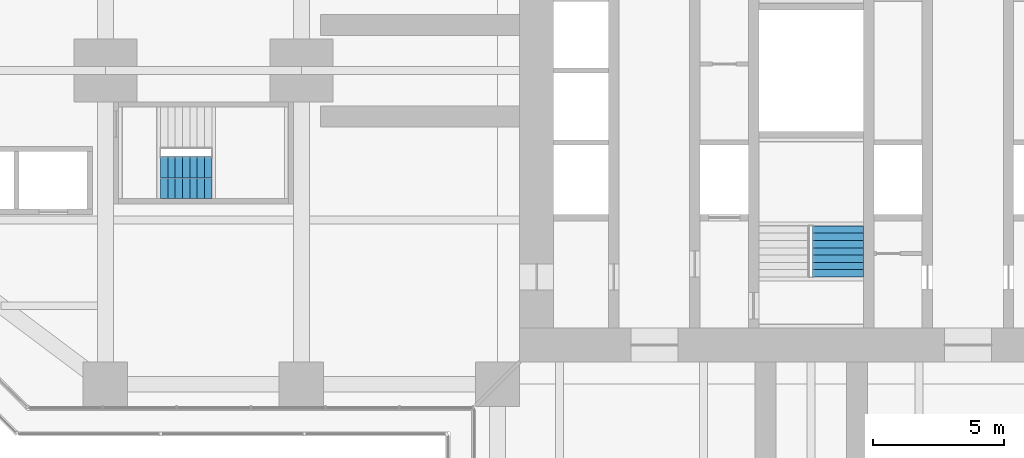
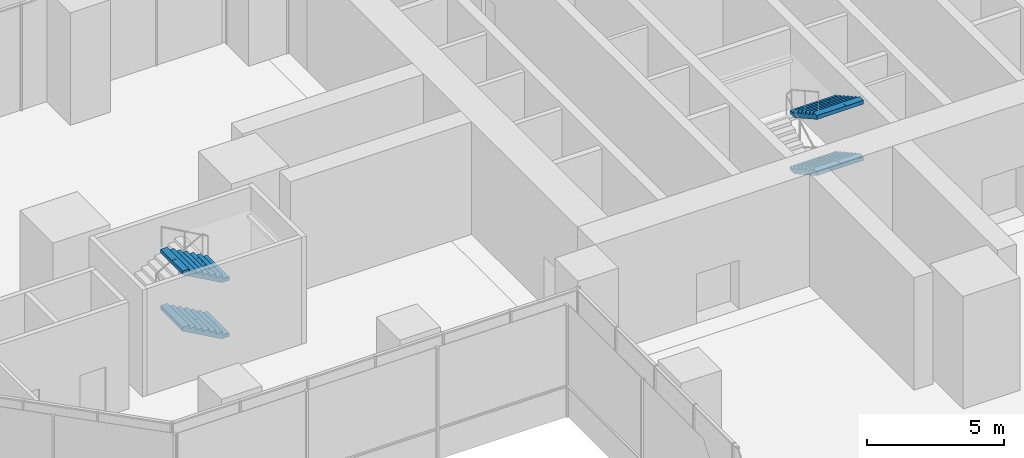
# One storey, part 19 of 23: 4 stair flights, 2 elements without a shape of their own.
"""IFC4 building model written with IfcOpenShell, lengths in metres."""

import ifcopenshell
import ifcopenshell.guid

model = None  # the IFC model being written
_history = None  # IfcOwnerHistory: only IFC2X3 demands one
_inside = {}  # id of a spatial element -> (the spatial element, [elements in it])
_under = {}  # id of a project, library or spatial element -> (it, [spatial elements below it])
_declared = {}  # id of a project -> (the project, [libraries it declares])
_typed = {}  # id of a type object -> (the type object, [elements of that type])
_made_of = {}  # id of a material, layer set ... -> (it, [elements and type objects made of it])


def new_model(schema):
    """Start an empty IFC model of exactly this schema.

    Asked for "IFC4X3", IfcOpenShell would pick the latest addendum, in which some entities
    have other attributes; the version numbers below select the first issue.
    IFC2X3 requires an IfcOwnerHistory on every rooted entity: one is made here for all.
    """
    global model, _history
    if schema == "IFC4X3":
        model = ifcopenshell.file(schema_version=(4, 3, 0, 0))
    else:
        model = ifcopenshell.file(schema=schema)
    _inside.clear()
    _under.clear()
    _declared.clear()
    _typed.clear()
    _made_of.clear()
    _history = None
    if model.schema == "IFC2X3":
        org = make("IfcOrganization", Name="unknown")
        user = make(
            "IfcPersonAndOrganization",
            ThePerson=make("IfcPerson", FamilyName="unknown"),
            TheOrganization=org,
        )
        app = make(
            "IfcApplication",
            ApplicationDeveloper=org,
            Version="unknown",
            ApplicationFullName="unknown",
            ApplicationIdentifier="unknown",
        )
        _history = make(
            "IfcOwnerHistory",
            OwningUser=user,
            OwningApplication=app,
            ChangeAction="ADDED",
            CreationDate=0,
        )
    return model


def make(cls, **values):
    """One entity of the class cls with the attributes given. An attribute that is None is left unset."""
    return model.create_entity(
        cls, **{name: value for name, value in values.items() if value is not None}
    )


def rooted(cls, **values):
    """An entity with a GlobalId (a new one), such as an element, a storey or a relation."""
    return make(cls, GlobalId=ifcopenshell.guid.new(), OwnerHistory=_history, **values)


def si_unit(unit_type, name, prefix=None):
    """IfcSIUnit, for example si_unit("LENGTHUNIT", "METRE", prefix="MILLI")."""
    return make("IfcSIUnit", UnitType=unit_type, Prefix=prefix, Name=name)


def assignment(units):
    """IfcUnitAssignment: the units of a project."""
    return None if units is None else make("IfcUnitAssignment", Units=units)


def point(xyz):
    """IfcCartesianPoint."""
    return None if xyz is None else make("IfcCartesianPoint", Coordinates=xyz)


def direction(xyz):
    """IfcDirection."""
    return None if xyz is None else make("IfcDirection", DirectionRatios=xyz)


def frame(location, z_axis=None, x_axis=None):
    """IfcAxis2Placement3D, a coordinate frame: its origin and axes. An axis left out is left unset."""
    return make(
        "IfcAxis2Placement3D",
        Location=point(location),
        Axis=direction(z_axis),
        RefDirection=direction(x_axis),
    )


def origin():
    """The frame at (0, 0, 0) with its axes left unset."""
    return frame((0.0, 0.0, 0.0))


def place(relative_to, where):
    """IfcLocalPlacement: puts the frame where relative to a parent placement (None: the world)."""
    return make(
        "IfcLocalPlacement", PlacementRelTo=relative_to, RelativePlacement=where
    )


def context(
    kind, dimensions, precision=None, world=None, true_north=None, identifier=None
):
    """IfcGeometricRepresentationContext, for example the 3D "Model" context."""
    return make(
        "IfcGeometricRepresentationContext",
        ContextIdentifier=identifier,
        ContextType=kind,
        CoordinateSpaceDimension=dimensions,
        Precision=precision,
        WorldCoordinateSystem=world,
        TrueNorth=true_north,
    )


def subcontext(parent, identifier, kind, view, scale=None):
    """IfcGeometricRepresentationSubContext, for example "Body" below "Model"."""
    return make(
        "IfcGeometricRepresentationSubContext",
        ContextIdentifier=identifier,
        ContextType=kind,
        ParentContext=parent,
        TargetScale=scale,
        TargetView=view,
    )


def project(units=None, contexts=None):
    """IfcProject with its units and contexts."""
    return rooted(
        "IfcProject",
        Name="project",
        RepresentationContexts=contexts,
        UnitsInContext=assignment(units),
    )


def spatial(cls, under=None, at=None, **own):
    """A site, building, storey or space (cls), placed at a placement, below another one or the project."""
    s = rooted(cls, ObjectPlacement=at, **own)
    if under is not None:
        _under.setdefault(under.id(), (under, []))[1].append(s)
    return s


def polyline(points):
    """IfcPolyline through the points."""
    return make("IfcPolyline", Points=[point(p) for p in points])


def outline(outer, holes=None, kind="AREA"):
    """IfcArbitraryClosedProfileDef: a profile drawn as a closed curve; with holes, ...WithVoids."""
    if holes is None:
        return make("IfcArbitraryClosedProfileDef", ProfileType=kind, OuterCurve=outer)
    return make(
        "IfcArbitraryProfileDefWithVoids",
        ProfileType=kind,
        OuterCurve=outer,
        InnerCurves=holes,
    )


def extrude(swept, where, along, depth):
    """IfcExtrudedAreaSolid: the profile swept, set in the frame where, extruded along a direction by depth."""
    return make(
        "IfcExtrudedAreaSolid",
        SweptArea=swept,
        Position=where,
        ExtrudedDirection=direction(along),
        Depth=depth,
    )


def shape(context_of_items, identifier, shape_type, items):
    """IfcShapeRepresentation: the items that make up one representation, for example the "Body"."""
    return make(
        "IfcShapeRepresentation",
        ContextOfItems=context_of_items,
        RepresentationIdentifier=identifier,
        RepresentationType=shape_type,
        Items=items,
    )


def material(Name=None, Category=None):
    """IfcMaterial."""
    return make("IfcMaterial", Name=Name, Category=Category)


def made_of(thing, what):
    """Note that an element or type object is made of a material, layer set ...; save() writes the relation."""
    if what is not None:
        _made_of.setdefault(what.id(), (what, []))[1].append(thing)
    return thing


def type_object(cls, material=None, **own):
    """A type object (cls), such as IfcWallType, which elements share."""
    return made_of(rooted(cls, **own), material)


def element(
    cls,
    number,
    at=None,
    inside=None,
    cuts=None,
    type_object=None,
    material=None,
    context=None,
    identifier="Body",
    shape_type=None,
    held_by="IfcProductDefinitionShape",
    body=None,
    shapes=None,
    **own,
):
    """One element of the class cls, such as IfcWall. Its Tag is "e" and its number.

    at: its placement. inside: the storey or other place that contains it. cuts: it is an
    opening in that element (IfcRelVoidsElement). A single representation is given by context,
    identifier, shape_type and body (its items); several are given by shapes. held_by: the class
    of the entity that holds the representations. save() writes the other relations.
    """
    e = rooted(cls, Tag="e%d" % number, ObjectPlacement=at, **own)
    if body is not None:
        shapes = [shape(context, identifier, shape_type, body)]
    if shapes is not None:
        e.Representation = make(held_by, Representations=shapes)
    if inside is not None:
        _inside.setdefault(inside.id(), (inside, []))[1].append(e)
    if cuts is not None:
        rooted(
            "IfcRelVoidsElement", RelatingBuildingElement=cuts, RelatedOpeningElement=e
        )
    if type_object is not None:
        _typed.setdefault(type_object.id(), (type_object, []))[1].append(e)
    return made_of(e, material)


def aggregate(whole, parts):
    """IfcRelAggregates: a whole, such as a stair, and the parts it consists of."""
    return rooted("IfcRelAggregates", RelatingObject=whole, RelatedObjects=parts)


def save(model, path):
    """Write the relations noted so far, then the file.

    IfcRelAggregates (storeys below a building ...), IfcRelContainedInSpatialStructure (elements
    in a storey), IfcRelDefinesByType, IfcRelAssociatesMaterial and IfcRelDeclares: one each for
    every whole, place, type object, material and project.
    """
    for whole, parts in _under.values():
        aggregate(whole, parts)
    for where, things in _inside.values():
        rooted(
            "IfcRelContainedInSpatialStructure",
            RelatedElements=things,
            RelatingStructure=where,
        )
    for kind, things in _typed.values():
        rooted("IfcRelDefinesByType", RelatedObjects=things, RelatingType=kind)
    for what, things in _made_of.values():
        rooted("IfcRelAssociatesMaterial", RelatedObjects=things, RelatingMaterial=what)
    for by, libraries in _declared.values():
        rooted("IfcRelDeclares", RelatingContext=by, RelatedDefinitions=libraries)
    model.write(path)


model = new_model("IFC4")

# Units and contexts
model_context = context("Model", 3, precision=1e-05, world=origin(), true_north=direction((0.0, 1.0)))
body_context = subcontext(model_context, "Body", "Model", "MODEL_VIEW")
ifc_project = project(units=[si_unit("LENGTHUNIT", "METRE"), si_unit("AREAUNIT", "SQUARE_METRE"), si_unit("VOLUMEUNIT", "CUBIC_METRE"), si_unit("PLANEANGLEUNIT", "RADIAN"), si_unit("MASSUNIT", "GRAM", prefix="KILO")], contexts=[model_context])

# Site, building, storey
site_placement = place(None, origin())
site = spatial("IfcSite", under=ifc_project, at=site_placement, CompositionType="ELEMENT")
building_placement = place(site_placement, origin())
building = spatial("IfcBuilding", under=site, at=building_placement, Name="Mizan Broadcast Tower", CompositionType="ELEMENT")
storey_placement = place(building_placement, frame((0.0, 0.0, 23.0)))
storey = spatial("IfcBuildingStorey", under=building, at=storey_placement, Name="L03", CompositionType="ELEMENT", Elevation=23.0)

# Stair, stair flights
ifc_material_1 = material(Name="Concrete C40/50", Category="concrete")
stair_type = type_object("IfcStairType", Name="EXIT STAIR", PredefinedType="HALF_TURN_STAIR", material=ifc_material_1)
stair_1_placement = place(storey_placement, origin())
stair_1 = element("IfcStair", 1, at=stair_1_placement, inside=storey, type_object=stair_type, Name="Stair A L03", PredefinedType="HALF_TURN_STAIR")
ifc_material_2 = material(Name="Concrete C40/50", Category="concrete")
stair_flight_type = type_object("IfcStairFlightType", Name="EXIT STAIR FLIGHT", PredefinedType="STRAIGHT", material=ifc_material_2)
stair_flight_1_placement = place(storey_placement, frame((1.02490234375, -5.93994140625, 1.25), z_axis=(0.0, 0.0, 1.0), x_axis=(0.0, -1.0, 0.0)))
stair_flight_1 = element("IfcStairFlight", 2, at=stair_flight_1_placement, type_object=stair_flight_type, Name="A flight 2", NumberOfRisers=8, NumberOfTreads=7, PredefinedType="STRAIGHT", RiserHeight=0.15625, TreadLength=0.28, context=body_context, shape_type="SweptSolid", body=[
    extrude(outline(polyline([(0.0, 0.0), (0.0, 0.15625), (0.280029296875, 0.15625), (0.280029296875, 0.3125), (0.56005859375, 0.3125), (0.56005859375, 0.46875), (0.840087890625, 0.46875), (0.840087890625, 0.625), (1.1201171875, 0.625), (1.1201171875, 0.78125), (1.39990234375, 0.78125), (1.39990234375, 0.9375), (1.679931640625, 0.9375), (1.679931640625, 1.09375), (1.9599609375, 1.09375), (1.9599609375, 1.25), (1.9599609375, 0.922119140625), (0.3076171875, 0.0), (0.0, 0.0)])), frame((0.0, 0.97509765625, 0.0), z_axis=(0.0, -1.0, 0.0), x_axis=(1.0, 0.0, 0.0)), (0.0, 0.0, 1.0), 0.4873046875),
    extrude(outline(polyline([(0.0, 0.0), (0.0, 0.15625), (0.280029296875, 0.15625), (0.280029296875, 0.3125), (0.56005859375, 0.3125), (0.56005859375, 0.46875), (0.840087890625, 0.46875), (0.840087890625, 0.625), (1.1201171875, 0.625), (1.1201171875, 0.78125), (1.39990234375, 0.78125), (1.39990234375, 0.9375), (1.679931640625, 0.9375), (1.679931640625, 1.09375), (1.9599609375, 1.09375), (1.9599609375, 1.25), (1.9599609375, 0.922119140625), (0.3076171875, 0.0), (0.0, 0.0)])), frame((0.0, 0.4873046875, 0.0), z_axis=(0.0, -1.0, 0.0), x_axis=(1.0, 0.0, 0.0)), (0.0, 0.0, 1.0), 0.2431640625),
    extrude(outline(polyline([(0.0, 0.0), (0.0, 0.15625), (0.280029296875, 0.15625), (0.280029296875, 0.3125), (0.56005859375, 0.3125), (0.56005859375, 0.46875), (0.840087890625, 0.46875), (0.840087890625, 0.625), (1.1201171875, 0.625), (1.1201171875, 0.78125), (1.39990234375, 0.78125), (1.39990234375, 0.9375), (1.679931640625, 0.9375), (1.679931640625, 1.09375), (1.9599609375, 1.09375), (1.9599609375, 1.25), (1.9599609375, 0.922119140625), (0.3076171875, 0.0), (0.0, 0.0)])), frame((0.0, 0.24365234375, 0.0), z_axis=(0.0, -1.0, 0.0), x_axis=(1.0, 0.0, 0.0)), (0.0, 0.0, 1.0), 0.121337890625),
    extrude(outline(polyline([(0.0, 0.0), (0.0, 0.15625), (0.280029296875, 0.15625), (0.280029296875, 0.3125), (0.56005859375, 0.3125), (0.56005859375, 0.46875), (0.840087890625, 0.46875), (0.840087890625, 0.625), (1.1201171875, 0.625), (1.1201171875, 0.78125), (1.39990234375, 0.78125), (1.39990234375, 0.9375), (1.679931640625, 0.9375), (1.679931640625, 1.09375), (1.9599609375, 1.09375), (1.9599609375, 1.25), (1.9599609375, 0.922119140625), (0.3076171875, 0.0), (0.0, 0.0)])), frame((0.0, 0.121826171875, 0.0), z_axis=(0.0, -1.0, 0.0), x_axis=(1.0, 0.0, 0.0)), (0.0, 0.0, 1.0), 0.060546875),
    extrude(outline(polyline([(0.0, 0.0), (0.0, 0.15625), (0.280029296875, 0.15625), (0.280029296875, 0.3125), (0.56005859375, 0.3125), (0.56005859375, 0.46875), (0.840087890625, 0.46875), (0.840087890625, 0.625), (1.1201171875, 0.625), (1.1201171875, 0.78125), (1.39990234375, 0.78125), (1.39990234375, 0.9375), (1.679931640625, 0.9375), (1.679931640625, 1.09375), (1.9599609375, 1.09375), (1.9599609375, 1.25), (1.9599609375, 0.922119140625), (0.3076171875, 0.0), (0.0, 0.0)])), frame((0.0, 0.060791015625, 0.0), z_axis=(0.0, -1.0, 0.0), x_axis=(1.0, 0.0, 0.0)), (0.0, 0.0, 1.0), 0.030029296875),
    extrude(outline(polyline([(0.0, 0.0), (0.0, 0.15625), (0.280029296875, 0.15625), (0.280029296875, 0.3125), (0.56005859375, 0.3125), (0.56005859375, 0.46875), (0.840087890625, 0.46875), (0.840087890625, 0.625), (1.1201171875, 0.625), (1.1201171875, 0.78125), (1.39990234375, 0.78125), (1.39990234375, 0.9375), (1.679931640625, 0.9375), (1.679931640625, 1.09375), (1.9599609375, 1.09375), (1.9599609375, 1.25), (1.9599609375, 0.922119140625), (0.3076171875, 0.0), (0.0, 0.0)])), frame((0.0, 0.0302734375, 0.0), z_axis=(0.0, -1.0, 0.0), x_axis=(1.0, 0.0, 0.0)), (0.0, 0.0, 1.0), 0.060302734375),
    extrude(outline(polyline([(0.0, 0.0), (0.0, 0.15625), (0.280029296875, 0.15625), (0.280029296875, 0.3125), (0.56005859375, 0.3125), (0.56005859375, 0.46875), (0.840087890625, 0.46875), (0.840087890625, 0.625), (1.1201171875, 0.625), (1.1201171875, 0.78125), (1.39990234375, 0.78125), (1.39990234375, 0.9375), (1.679931640625, 0.9375), (1.679931640625, 1.09375), (1.9599609375, 1.09375), (1.9599609375, 1.25), (1.9599609375, 0.922119140625), (0.3076171875, 0.0), (0.0, 0.0)])), frame((0.0, -0.030517578125, 0.0), z_axis=(0.0, -1.0, 0.0), x_axis=(1.0, 0.0, 0.0)), (0.0, 0.0, 1.0), 0.030029296875),
    extrude(outline(polyline([(0.0, 0.0), (0.0, 0.15625), (0.280029296875, 0.15625), (0.280029296875, 0.3125), (0.56005859375, 0.3125), (0.56005859375, 0.46875), (0.840087890625, 0.46875), (0.840087890625, 0.625), (1.1201171875, 0.625), (1.1201171875, 0.78125), (1.39990234375, 0.78125), (1.39990234375, 0.9375), (1.679931640625, 0.9375), (1.679931640625, 1.09375), (1.9599609375, 1.09375), (1.9599609375, 1.25), (1.9599609375, 0.922119140625), (0.3076171875, 0.0), (0.0, 0.0)])), frame((0.0, -0.06103515625, 0.0), z_axis=(0.0, -1.0, 0.0), x_axis=(1.0, 0.0, 0.0)), (0.0, 0.0, 1.0), 0.060546875),
    extrude(outline(polyline([(0.0, 0.0), (0.0, 0.15625), (0.280029296875, 0.15625), (0.280029296875, 0.3125), (0.56005859375, 0.3125), (0.56005859375, 0.46875), (0.840087890625, 0.46875), (0.840087890625, 0.625), (1.1201171875, 0.625), (1.1201171875, 0.78125), (1.39990234375, 0.78125), (1.39990234375, 0.9375), (1.679931640625, 0.9375), (1.679931640625, 1.09375), (1.9599609375, 1.09375), (1.9599609375, 1.25), (1.9599609375, 0.922119140625), (0.3076171875, 0.0), (0.0, 0.0)])), frame((0.0, -0.1220703125, 0.0), z_axis=(0.0, -1.0, 0.0), x_axis=(1.0, 0.0, 0.0)), (0.0, 0.0, 1.0), 0.121337890625),
    extrude(outline(polyline([(0.0, 0.0), (0.0, 0.15625), (0.280029296875, 0.15625), (0.280029296875, 0.3125), (0.56005859375, 0.3125), (0.56005859375, 0.46875), (0.840087890625, 0.46875), (0.840087890625, 0.625), (1.1201171875, 0.625), (1.1201171875, 0.78125), (1.39990234375, 0.78125), (1.39990234375, 0.9375), (1.679931640625, 0.9375), (1.679931640625, 1.09375), (1.9599609375, 1.09375), (1.9599609375, 1.25), (1.9599609375, 0.922119140625), (0.3076171875, 0.0), (0.0, 0.0)])), frame((0.0, -0.243896484375, 0.0), z_axis=(0.0, -1.0, 0.0), x_axis=(1.0, 0.0, 0.0)), (0.0, 0.0, 1.0), 0.2431640625),
    extrude(outline(polyline([(0.0, 0.0), (0.0, 0.15625), (0.280029296875, 0.15625), (0.280029296875, 0.3125), (0.56005859375, 0.3125), (0.56005859375, 0.46875), (0.840087890625, 0.46875), (0.840087890625, 0.625), (1.1201171875, 0.625), (1.1201171875, 0.78125), (1.39990234375, 0.78125), (1.39990234375, 0.9375), (1.679931640625, 0.9375), (1.679931640625, 1.09375), (1.9599609375, 1.09375), (1.9599609375, 1.25), (1.9599609375, 0.922119140625), (0.3076171875, 0.0), (0.0, 0.0)])), frame((0.0, -0.487548828125, 0.0), z_axis=(0.0, -1.0, 0.0), x_axis=(1.0, 0.0, 0.0)), (0.0, 0.0, 1.0), 0.4873046875),
])
stair_flight_2_placement = place(storey_placement, frame((1.02490234375, -5.93994140625, 3.75), z_axis=(0.0, 0.0, 1.0), x_axis=(0.0, -1.0, 0.0)))
stair_flight_2 = element("IfcStairFlight", 3, at=stair_flight_2_placement, type_object=stair_flight_type, Name="A flight 4", NumberOfRisers=8, NumberOfTreads=7, PredefinedType="STRAIGHT", RiserHeight=0.15625, TreadLength=0.28, context=body_context, shape_type="SweptSolid", body=[
    extrude(outline(polyline([(0.0, 0.0), (0.0, 0.15625), (0.280029296875, 0.15625), (0.280029296875, 0.3125), (0.56005859375, 0.3125), (0.56005859375, 0.46875), (0.840087890625, 0.46875), (0.840087890625, 0.625), (1.1201171875, 0.625), (1.1201171875, 0.78125), (1.39990234375, 0.78125), (1.39990234375, 0.9375), (1.679931640625, 0.9375), (1.679931640625, 1.09375), (1.9599609375, 1.09375), (1.9599609375, 1.25), (1.9599609375, 0.922119140625), (0.3076171875, 0.0), (0.0, 0.0)])), frame((0.0, 0.97509765625, 0.0), z_axis=(0.0, -1.0, 0.0), x_axis=(1.0, 0.0, 0.0)), (0.0, 0.0, 1.0), 0.4873046875),
    extrude(outline(polyline([(0.0, 0.0), (0.0, 0.15625), (0.280029296875, 0.15625), (0.280029296875, 0.3125), (0.56005859375, 0.3125), (0.56005859375, 0.46875), (0.840087890625, 0.46875), (0.840087890625, 0.625), (1.1201171875, 0.625), (1.1201171875, 0.78125), (1.39990234375, 0.78125), (1.39990234375, 0.9375), (1.679931640625, 0.9375), (1.679931640625, 1.09375), (1.9599609375, 1.09375), (1.9599609375, 1.25), (1.9599609375, 0.922119140625), (0.3076171875, 0.0), (0.0, 0.0)])), frame((0.0, 0.4873046875, 0.0), z_axis=(0.0, -1.0, 0.0), x_axis=(1.0, 0.0, 0.0)), (0.0, 0.0, 1.0), 0.2431640625),
    extrude(outline(polyline([(0.0, 0.0), (0.0, 0.15625), (0.280029296875, 0.15625), (0.280029296875, 0.3125), (0.56005859375, 0.3125), (0.56005859375, 0.46875), (0.840087890625, 0.46875), (0.840087890625, 0.625), (1.1201171875, 0.625), (1.1201171875, 0.78125), (1.39990234375, 0.78125), (1.39990234375, 0.9375), (1.679931640625, 0.9375), (1.679931640625, 1.09375), (1.9599609375, 1.09375), (1.9599609375, 1.25), (1.9599609375, 0.922119140625), (0.3076171875, 0.0), (0.0, 0.0)])), frame((0.0, 0.24365234375, 0.0), z_axis=(0.0, -1.0, 0.0), x_axis=(1.0, 0.0, 0.0)), (0.0, 0.0, 1.0), 0.121337890625),
    extrude(outline(polyline([(0.0, 0.0), (0.0, 0.15625), (0.280029296875, 0.15625), (0.280029296875, 0.3125), (0.56005859375, 0.3125), (0.56005859375, 0.46875), (0.840087890625, 0.46875), (0.840087890625, 0.625), (1.1201171875, 0.625), (1.1201171875, 0.78125), (1.39990234375, 0.78125), (1.39990234375, 0.9375), (1.679931640625, 0.9375), (1.679931640625, 1.09375), (1.9599609375, 1.09375), (1.9599609375, 1.25), (1.9599609375, 0.922119140625), (0.3076171875, 0.0), (0.0, 0.0)])), frame((0.0, 0.121826171875, 0.0), z_axis=(0.0, -1.0, 0.0), x_axis=(1.0, 0.0, 0.0)), (0.0, 0.0, 1.0), 0.060546875),
    extrude(outline(polyline([(0.0, 0.0), (0.0, 0.15625), (0.280029296875, 0.15625), (0.280029296875, 0.3125), (0.56005859375, 0.3125), (0.56005859375, 0.46875), (0.840087890625, 0.46875), (0.840087890625, 0.625), (1.1201171875, 0.625), (1.1201171875, 0.78125), (1.39990234375, 0.78125), (1.39990234375, 0.9375), (1.679931640625, 0.9375), (1.679931640625, 1.09375), (1.9599609375, 1.09375), (1.9599609375, 1.25), (1.9599609375, 0.922119140625), (0.3076171875, 0.0), (0.0, 0.0)])), frame((0.0, 0.060791015625, 0.0), z_axis=(0.0, -1.0, 0.0), x_axis=(1.0, 0.0, 0.0)), (0.0, 0.0, 1.0), 0.030029296875),
    extrude(outline(polyline([(0.0, 0.0), (0.0, 0.15625), (0.280029296875, 0.15625), (0.280029296875, 0.3125), (0.56005859375, 0.3125), (0.56005859375, 0.46875), (0.840087890625, 0.46875), (0.840087890625, 0.625), (1.1201171875, 0.625), (1.1201171875, 0.78125), (1.39990234375, 0.78125), (1.39990234375, 0.9375), (1.679931640625, 0.9375), (1.679931640625, 1.09375), (1.9599609375, 1.09375), (1.9599609375, 1.25), (1.9599609375, 0.922119140625), (0.3076171875, 0.0), (0.0, 0.0)])), frame((0.0, 0.0302734375, 0.0), z_axis=(0.0, -1.0, 0.0), x_axis=(1.0, 0.0, 0.0)), (0.0, 0.0, 1.0), 0.060302734375),
    extrude(outline(polyline([(0.0, 0.0), (0.0, 0.15625), (0.280029296875, 0.15625), (0.280029296875, 0.3125), (0.56005859375, 0.3125), (0.56005859375, 0.46875), (0.840087890625, 0.46875), (0.840087890625, 0.625), (1.1201171875, 0.625), (1.1201171875, 0.78125), (1.39990234375, 0.78125), (1.39990234375, 0.9375), (1.679931640625, 0.9375), (1.679931640625, 1.09375), (1.9599609375, 1.09375), (1.9599609375, 1.25), (1.9599609375, 0.922119140625), (0.3076171875, 0.0), (0.0, 0.0)])), frame((0.0, -0.030517578125, 0.0), z_axis=(0.0, -1.0, 0.0), x_axis=(1.0, 0.0, 0.0)), (0.0, 0.0, 1.0), 0.030029296875),
    extrude(outline(polyline([(0.0, 0.0), (0.0, 0.15625), (0.280029296875, 0.15625), (0.280029296875, 0.3125), (0.56005859375, 0.3125), (0.56005859375, 0.46875), (0.840087890625, 0.46875), (0.840087890625, 0.625), (1.1201171875, 0.625), (1.1201171875, 0.78125), (1.39990234375, 0.78125), (1.39990234375, 0.9375), (1.679931640625, 0.9375), (1.679931640625, 1.09375), (1.9599609375, 1.09375), (1.9599609375, 1.25), (1.9599609375, 0.922119140625), (0.3076171875, 0.0), (0.0, 0.0)])), frame((0.0, -0.06103515625, 0.0), z_axis=(0.0, -1.0, 0.0), x_axis=(1.0, 0.0, 0.0)), (0.0, 0.0, 1.0), 0.060546875),
    extrude(outline(polyline([(0.0, 0.0), (0.0, 0.15625), (0.280029296875, 0.15625), (0.280029296875, 0.3125), (0.56005859375, 0.3125), (0.56005859375, 0.46875), (0.840087890625, 0.46875), (0.840087890625, 0.625), (1.1201171875, 0.625), (1.1201171875, 0.78125), (1.39990234375, 0.78125), (1.39990234375, 0.9375), (1.679931640625, 0.9375), (1.679931640625, 1.09375), (1.9599609375, 1.09375), (1.9599609375, 1.25), (1.9599609375, 0.922119140625), (0.3076171875, 0.0), (0.0, 0.0)])), frame((0.0, -0.1220703125, 0.0), z_axis=(0.0, -1.0, 0.0), x_axis=(1.0, 0.0, 0.0)), (0.0, 0.0, 1.0), 0.121337890625),
    extrude(outline(polyline([(0.0, 0.0), (0.0, 0.15625), (0.280029296875, 0.15625), (0.280029296875, 0.3125), (0.56005859375, 0.3125), (0.56005859375, 0.46875), (0.840087890625, 0.46875), (0.840087890625, 0.625), (1.1201171875, 0.625), (1.1201171875, 0.78125), (1.39990234375, 0.78125), (1.39990234375, 0.9375), (1.679931640625, 0.9375), (1.679931640625, 1.09375), (1.9599609375, 1.09375), (1.9599609375, 1.25), (1.9599609375, 0.922119140625), (0.3076171875, 0.0), (0.0, 0.0)])), frame((0.0, -0.243896484375, 0.0), z_axis=(0.0, -1.0, 0.0), x_axis=(1.0, 0.0, 0.0)), (0.0, 0.0, 1.0), 0.2431640625),
    extrude(outline(polyline([(0.0, 0.0), (0.0, 0.15625), (0.280029296875, 0.15625), (0.280029296875, 0.3125), (0.56005859375, 0.3125), (0.56005859375, 0.46875), (0.840087890625, 0.46875), (0.840087890625, 0.625), (1.1201171875, 0.625), (1.1201171875, 0.78125), (1.39990234375, 0.78125), (1.39990234375, 0.9375), (1.679931640625, 0.9375), (1.679931640625, 1.09375), (1.9599609375, 1.09375), (1.9599609375, 1.25), (1.9599609375, 0.922119140625), (0.3076171875, 0.0), (0.0, 0.0)])), frame((0.0, -0.487548828125, 0.0), z_axis=(0.0, -1.0, 0.0), x_axis=(1.0, 0.0, 0.0)), (0.0, 0.0, 1.0), 0.4873046875),
])
aggregate(stair_1, [stair_flight_1, stair_flight_2])

stair_2_placement = place(storey_placement, origin())
stair_2 = element("IfcStair", 4, at=stair_2_placement, inside=storey, type_object=stair_type, Name="Stair D L03", PredefinedType="HALF_TURN_STAIR")
stair_flight_3_placement = place(storey_placement, frame((-22.929931640625, -4.094970703125, 1.25), z_axis=(0.0, 0.0, 1.0), x_axis=(-1.0, 0.0, 0.0)))
stair_flight_3 = element("IfcStairFlight", 5, at=stair_flight_3_placement, type_object=stair_flight_type, Name="D flight 2", NumberOfRisers=8, NumberOfTreads=7, PredefinedType="STRAIGHT", RiserHeight=0.15625, TreadLength=0.28, context=body_context, shape_type="SweptSolid", body=[
    extrude(outline(polyline([(0.0, 0.0), (0.0, 0.15625), (0.280029296875, 0.15625), (0.280029296875, 0.3125), (0.56005859375, 0.3125), (0.56005859375, 0.46875), (0.840087890625, 0.46875), (0.840087890625, 0.625), (1.1201171875, 0.625), (1.1201171875, 0.78125), (1.39990234375, 0.78125), (1.39990234375, 0.9375), (1.679931640625, 0.9375), (1.679931640625, 1.09375), (1.9599609375, 1.09375), (1.9599609375, 1.25), (1.9599609375, 0.922119140625), (0.3076171875, 0.0), (0.0, 0.0)])), frame((0.0, 0.80517578125, 0.0), z_axis=(0.0, -1.0, 0.0), x_axis=(1.0, 0.0, 0.0)), (0.0, 0.0, 1.0), 0.40234375),
    extrude(outline(polyline([(0.0, 0.0), (0.0, 0.15625), (0.280029296875, 0.15625), (0.280029296875, 0.3125), (0.56005859375, 0.3125), (0.56005859375, 0.46875), (0.840087890625, 0.46875), (0.840087890625, 0.625), (1.1201171875, 0.625), (1.1201171875, 0.78125), (1.39990234375, 0.78125), (1.39990234375, 0.9375), (1.679931640625, 0.9375), (1.679931640625, 1.09375), (1.9599609375, 1.09375), (1.9599609375, 1.25), (1.9599609375, 0.922119140625), (0.3076171875, 0.0), (0.0, 0.0)])), frame((0.0, 0.40234375, 0.0), z_axis=(0.0, -1.0, 0.0), x_axis=(1.0, 0.0, 0.0)), (0.0, 0.0, 1.0), 0.20068359375),
    extrude(outline(polyline([(0.0, 0.0), (0.0, 0.15625), (0.280029296875, 0.15625), (0.280029296875, 0.3125), (0.56005859375, 0.3125), (0.56005859375, 0.46875), (0.840087890625, 0.46875), (0.840087890625, 0.625), (1.1201171875, 0.625), (1.1201171875, 0.78125), (1.39990234375, 0.78125), (1.39990234375, 0.9375), (1.679931640625, 0.9375), (1.679931640625, 1.09375), (1.9599609375, 1.09375), (1.9599609375, 1.25), (1.9599609375, 0.922119140625), (0.3076171875, 0.0), (0.0, 0.0)])), frame((0.0, 0.201171875, 0.0), z_axis=(0.0, -1.0, 0.0), x_axis=(1.0, 0.0, 0.0)), (0.0, 0.0, 1.0), 0.10009765625),
    extrude(outline(polyline([(0.0, 0.0), (0.0, 0.15625), (0.280029296875, 0.15625), (0.280029296875, 0.3125), (0.56005859375, 0.3125), (0.56005859375, 0.46875), (0.840087890625, 0.46875), (0.840087890625, 0.625), (1.1201171875, 0.625), (1.1201171875, 0.78125), (1.39990234375, 0.78125), (1.39990234375, 0.9375), (1.679931640625, 0.9375), (1.679931640625, 1.09375), (1.9599609375, 1.09375), (1.9599609375, 1.25), (1.9599609375, 0.922119140625), (0.3076171875, 0.0), (0.0, 0.0)])), frame((0.0, 0.1005859375, 0.0), z_axis=(0.0, -1.0, 0.0), x_axis=(1.0, 0.0, 0.0)), (0.0, 0.0, 1.0), 0.0498046875),
    extrude(outline(polyline([(0.0, 0.0), (0.0, 0.15625), (0.280029296875, 0.15625), (0.280029296875, 0.3125), (0.56005859375, 0.3125), (0.56005859375, 0.46875), (0.840087890625, 0.46875), (0.840087890625, 0.625), (1.1201171875, 0.625), (1.1201171875, 0.78125), (1.39990234375, 0.78125), (1.39990234375, 0.9375), (1.679931640625, 0.9375), (1.679931640625, 1.09375), (1.9599609375, 1.09375), (1.9599609375, 1.25), (1.9599609375, 0.922119140625), (0.3076171875, 0.0), (0.0, 0.0)])), frame((0.0, 0.05029296875, 0.0), z_axis=(0.0, -1.0, 0.0), x_axis=(1.0, 0.0, 0.0)), (0.0, 0.0, 1.0), 0.024658203125),
    extrude(outline(polyline([(0.0, 0.0), (0.0, 0.15625), (0.280029296875, 0.15625), (0.280029296875, 0.3125), (0.56005859375, 0.3125), (0.56005859375, 0.46875), (0.840087890625, 0.46875), (0.840087890625, 0.625), (1.1201171875, 0.625), (1.1201171875, 0.78125), (1.39990234375, 0.78125), (1.39990234375, 0.9375), (1.679931640625, 0.9375), (1.679931640625, 1.09375), (1.9599609375, 1.09375), (1.9599609375, 1.25), (1.9599609375, 0.922119140625), (0.3076171875, 0.0), (0.0, 0.0)])), frame((0.0, 0.025146484375, 0.0), z_axis=(0.0, -1.0, 0.0), x_axis=(1.0, 0.0, 0.0)), (0.0, 0.0, 1.0), 0.050048828125),
    extrude(outline(polyline([(0.0, 0.0), (0.0, 0.15625), (0.280029296875, 0.15625), (0.280029296875, 0.3125), (0.56005859375, 0.3125), (0.56005859375, 0.46875), (0.840087890625, 0.46875), (0.840087890625, 0.625), (1.1201171875, 0.625), (1.1201171875, 0.78125), (1.39990234375, 0.78125), (1.39990234375, 0.9375), (1.679931640625, 0.9375), (1.679931640625, 1.09375), (1.9599609375, 1.09375), (1.9599609375, 1.25), (1.9599609375, 0.922119140625), (0.3076171875, 0.0), (0.0, 0.0)])), frame((0.0, -0.025390625, 0.0), z_axis=(0.0, -1.0, 0.0), x_axis=(1.0, 0.0, 0.0)), (0.0, 0.0, 1.0), 0.024658203125),
    extrude(outline(polyline([(0.0, 0.0), (0.0, 0.15625), (0.280029296875, 0.15625), (0.280029296875, 0.3125), (0.56005859375, 0.3125), (0.56005859375, 0.46875), (0.840087890625, 0.46875), (0.840087890625, 0.625), (1.1201171875, 0.625), (1.1201171875, 0.78125), (1.39990234375, 0.78125), (1.39990234375, 0.9375), (1.679931640625, 0.9375), (1.679931640625, 1.09375), (1.9599609375, 1.09375), (1.9599609375, 1.25), (1.9599609375, 0.922119140625), (0.3076171875, 0.0), (0.0, 0.0)])), frame((0.0, -0.050537109375, 0.0), z_axis=(0.0, -1.0, 0.0), x_axis=(1.0, 0.0, 0.0)), (0.0, 0.0, 1.0), 0.0498046875),
    extrude(outline(polyline([(0.0, 0.0), (0.0, 0.15625), (0.280029296875, 0.15625), (0.280029296875, 0.3125), (0.56005859375, 0.3125), (0.56005859375, 0.46875), (0.840087890625, 0.46875), (0.840087890625, 0.625), (1.1201171875, 0.625), (1.1201171875, 0.78125), (1.39990234375, 0.78125), (1.39990234375, 0.9375), (1.679931640625, 0.9375), (1.679931640625, 1.09375), (1.9599609375, 1.09375), (1.9599609375, 1.25), (1.9599609375, 0.922119140625), (0.3076171875, 0.0), (0.0, 0.0)])), frame((0.0, -0.100830078125, 0.0), z_axis=(0.0, -1.0, 0.0), x_axis=(1.0, 0.0, 0.0)), (0.0, 0.0, 1.0), 0.10009765625),
    extrude(outline(polyline([(0.0, 0.0), (0.0, 0.15625), (0.280029296875, 0.15625), (0.280029296875, 0.3125), (0.56005859375, 0.3125), (0.56005859375, 0.46875), (0.840087890625, 0.46875), (0.840087890625, 0.625), (1.1201171875, 0.625), (1.1201171875, 0.78125), (1.39990234375, 0.78125), (1.39990234375, 0.9375), (1.679931640625, 0.9375), (1.679931640625, 1.09375), (1.9599609375, 1.09375), (1.9599609375, 1.25), (1.9599609375, 0.922119140625), (0.3076171875, 0.0), (0.0, 0.0)])), frame((0.0, -0.201416015625, 0.0), z_axis=(0.0, -1.0, 0.0), x_axis=(1.0, 0.0, 0.0)), (0.0, 0.0, 1.0), 0.20068359375),
    extrude(outline(polyline([(0.0, 0.0), (0.0, 0.15625), (0.280029296875, 0.15625), (0.280029296875, 0.3125), (0.56005859375, 0.3125), (0.56005859375, 0.46875), (0.840087890625, 0.46875), (0.840087890625, 0.625), (1.1201171875, 0.625), (1.1201171875, 0.78125), (1.39990234375, 0.78125), (1.39990234375, 0.9375), (1.679931640625, 0.9375), (1.679931640625, 1.09375), (1.9599609375, 1.09375), (1.9599609375, 1.25), (1.9599609375, 0.922119140625), (0.3076171875, 0.0), (0.0, 0.0)])), frame((0.0, -0.402587890625, 0.0), z_axis=(0.0, -1.0, 0.0), x_axis=(1.0, 0.0, 0.0)), (0.0, 0.0, 1.0), 0.40234375),
])
stair_flight_4_placement = place(storey_placement, frame((-22.929931640625, -4.094970703125, 3.75), z_axis=(0.0, 0.0, 1.0), x_axis=(-1.0, 0.0, 0.0)))
stair_flight_4 = element("IfcStairFlight", 6, at=stair_flight_4_placement, type_object=stair_flight_type, Name="D flight 4", NumberOfRisers=8, NumberOfTreads=7, PredefinedType="STRAIGHT", RiserHeight=0.15625, TreadLength=0.28, context=body_context, shape_type="SweptSolid", body=[
    extrude(outline(polyline([(0.0, 0.0), (0.0, 0.15625), (0.280029296875, 0.15625), (0.280029296875, 0.3125), (0.56005859375, 0.3125), (0.56005859375, 0.46875), (0.840087890625, 0.46875), (0.840087890625, 0.625), (1.1201171875, 0.625), (1.1201171875, 0.78125), (1.39990234375, 0.78125), (1.39990234375, 0.9375), (1.679931640625, 0.9375), (1.679931640625, 1.09375), (1.9599609375, 1.09375), (1.9599609375, 1.25), (1.9599609375, 0.922119140625), (0.3076171875, 0.0), (0.0, 0.0)])), frame((0.0, 0.80517578125, 0.0), z_axis=(0.0, -1.0, 0.0), x_axis=(1.0, 0.0, 0.0)), (0.0, 0.0, 1.0), 0.40234375),
    extrude(outline(polyline([(0.0, 0.0), (0.0, 0.15625), (0.280029296875, 0.15625), (0.280029296875, 0.3125), (0.56005859375, 0.3125), (0.56005859375, 0.46875), (0.840087890625, 0.46875), (0.840087890625, 0.625), (1.1201171875, 0.625), (1.1201171875, 0.78125), (1.39990234375, 0.78125), (1.39990234375, 0.9375), (1.679931640625, 0.9375), (1.679931640625, 1.09375), (1.9599609375, 1.09375), (1.9599609375, 1.25), (1.9599609375, 0.922119140625), (0.3076171875, 0.0), (0.0, 0.0)])), frame((0.0, 0.40234375, 0.0), z_axis=(0.0, -1.0, 0.0), x_axis=(1.0, 0.0, 0.0)), (0.0, 0.0, 1.0), 0.20068359375),
    extrude(outline(polyline([(0.0, 0.0), (0.0, 0.15625), (0.280029296875, 0.15625), (0.280029296875, 0.3125), (0.56005859375, 0.3125), (0.56005859375, 0.46875), (0.840087890625, 0.46875), (0.840087890625, 0.625), (1.1201171875, 0.625), (1.1201171875, 0.78125), (1.39990234375, 0.78125), (1.39990234375, 0.9375), (1.679931640625, 0.9375), (1.679931640625, 1.09375), (1.9599609375, 1.09375), (1.9599609375, 1.25), (1.9599609375, 0.922119140625), (0.3076171875, 0.0), (0.0, 0.0)])), frame((0.0, 0.201171875, 0.0), z_axis=(0.0, -1.0, 0.0), x_axis=(1.0, 0.0, 0.0)), (0.0, 0.0, 1.0), 0.10009765625),
    extrude(outline(polyline([(0.0, 0.0), (0.0, 0.15625), (0.280029296875, 0.15625), (0.280029296875, 0.3125), (0.56005859375, 0.3125), (0.56005859375, 0.46875), (0.840087890625, 0.46875), (0.840087890625, 0.625), (1.1201171875, 0.625), (1.1201171875, 0.78125), (1.39990234375, 0.78125), (1.39990234375, 0.9375), (1.679931640625, 0.9375), (1.679931640625, 1.09375), (1.9599609375, 1.09375), (1.9599609375, 1.25), (1.9599609375, 0.922119140625), (0.3076171875, 0.0), (0.0, 0.0)])), frame((0.0, 0.1005859375, 0.0), z_axis=(0.0, -1.0, 0.0), x_axis=(1.0, 0.0, 0.0)), (0.0, 0.0, 1.0), 0.0498046875),
    extrude(outline(polyline([(0.0, 0.0), (0.0, 0.15625), (0.280029296875, 0.15625), (0.280029296875, 0.3125), (0.56005859375, 0.3125), (0.56005859375, 0.46875), (0.840087890625, 0.46875), (0.840087890625, 0.625), (1.1201171875, 0.625), (1.1201171875, 0.78125), (1.39990234375, 0.78125), (1.39990234375, 0.9375), (1.679931640625, 0.9375), (1.679931640625, 1.09375), (1.9599609375, 1.09375), (1.9599609375, 1.25), (1.9599609375, 0.922119140625), (0.3076171875, 0.0), (0.0, 0.0)])), frame((0.0, 0.05029296875, 0.0), z_axis=(0.0, -1.0, 0.0), x_axis=(1.0, 0.0, 0.0)), (0.0, 0.0, 1.0), 0.024658203125),
    extrude(outline(polyline([(0.0, 0.0), (0.0, 0.15625), (0.280029296875, 0.15625), (0.280029296875, 0.3125), (0.56005859375, 0.3125), (0.56005859375, 0.46875), (0.840087890625, 0.46875), (0.840087890625, 0.625), (1.1201171875, 0.625), (1.1201171875, 0.78125), (1.39990234375, 0.78125), (1.39990234375, 0.9375), (1.679931640625, 0.9375), (1.679931640625, 1.09375), (1.9599609375, 1.09375), (1.9599609375, 1.25), (1.9599609375, 0.922119140625), (0.3076171875, 0.0), (0.0, 0.0)])), frame((0.0, 0.025146484375, 0.0), z_axis=(0.0, -1.0, 0.0), x_axis=(1.0, 0.0, 0.0)), (0.0, 0.0, 1.0), 0.050048828125),
    extrude(outline(polyline([(0.0, 0.0), (0.0, 0.15625), (0.280029296875, 0.15625), (0.280029296875, 0.3125), (0.56005859375, 0.3125), (0.56005859375, 0.46875), (0.840087890625, 0.46875), (0.840087890625, 0.625), (1.1201171875, 0.625), (1.1201171875, 0.78125), (1.39990234375, 0.78125), (1.39990234375, 0.9375), (1.679931640625, 0.9375), (1.679931640625, 1.09375), (1.9599609375, 1.09375), (1.9599609375, 1.25), (1.9599609375, 0.922119140625), (0.3076171875, 0.0), (0.0, 0.0)])), frame((0.0, -0.025390625, 0.0), z_axis=(0.0, -1.0, 0.0), x_axis=(1.0, 0.0, 0.0)), (0.0, 0.0, 1.0), 0.024658203125),
    extrude(outline(polyline([(0.0, 0.0), (0.0, 0.15625), (0.280029296875, 0.15625), (0.280029296875, 0.3125), (0.56005859375, 0.3125), (0.56005859375, 0.46875), (0.840087890625, 0.46875), (0.840087890625, 0.625), (1.1201171875, 0.625), (1.1201171875, 0.78125), (1.39990234375, 0.78125), (1.39990234375, 0.9375), (1.679931640625, 0.9375), (1.679931640625, 1.09375), (1.9599609375, 1.09375), (1.9599609375, 1.25), (1.9599609375, 0.922119140625), (0.3076171875, 0.0), (0.0, 0.0)])), frame((0.0, -0.050537109375, 0.0), z_axis=(0.0, -1.0, 0.0), x_axis=(1.0, 0.0, 0.0)), (0.0, 0.0, 1.0), 0.0498046875),
    extrude(outline(polyline([(0.0, 0.0), (0.0, 0.15625), (0.280029296875, 0.15625), (0.280029296875, 0.3125), (0.56005859375, 0.3125), (0.56005859375, 0.46875), (0.840087890625, 0.46875), (0.840087890625, 0.625), (1.1201171875, 0.625), (1.1201171875, 0.78125), (1.39990234375, 0.78125), (1.39990234375, 0.9375), (1.679931640625, 0.9375), (1.679931640625, 1.09375), (1.9599609375, 1.09375), (1.9599609375, 1.25), (1.9599609375, 0.922119140625), (0.3076171875, 0.0), (0.0, 0.0)])), frame((0.0, -0.100830078125, 0.0), z_axis=(0.0, -1.0, 0.0), x_axis=(1.0, 0.0, 0.0)), (0.0, 0.0, 1.0), 0.10009765625),
    extrude(outline(polyline([(0.0, 0.0), (0.0, 0.15625), (0.280029296875, 0.15625), (0.280029296875, 0.3125), (0.56005859375, 0.3125), (0.56005859375, 0.46875), (0.840087890625, 0.46875), (0.840087890625, 0.625), (1.1201171875, 0.625), (1.1201171875, 0.78125), (1.39990234375, 0.78125), (1.39990234375, 0.9375), (1.679931640625, 0.9375), (1.679931640625, 1.09375), (1.9599609375, 1.09375), (1.9599609375, 1.25), (1.9599609375, 0.922119140625), (0.3076171875, 0.0), (0.0, 0.0)])), frame((0.0, -0.201416015625, 0.0), z_axis=(0.0, -1.0, 0.0), x_axis=(1.0, 0.0, 0.0)), (0.0, 0.0, 1.0), 0.20068359375),
    extrude(outline(polyline([(0.0, 0.0), (0.0, 0.15625), (0.280029296875, 0.15625), (0.280029296875, 0.3125), (0.56005859375, 0.3125), (0.56005859375, 0.46875), (0.840087890625, 0.46875), (0.840087890625, 0.625), (1.1201171875, 0.625), (1.1201171875, 0.78125), (1.39990234375, 0.78125), (1.39990234375, 0.9375), (1.679931640625, 0.9375), (1.679931640625, 1.09375), (1.9599609375, 1.09375), (1.9599609375, 1.25), (1.9599609375, 0.922119140625), (0.3076171875, 0.0), (0.0, 0.0)])), frame((0.0, -0.402587890625, 0.0), z_axis=(0.0, -1.0, 0.0), x_axis=(1.0, 0.0, 0.0)), (0.0, 0.0, 1.0), 0.40234375),
])
aggregate(stair_2, [stair_flight_3, stair_flight_4])

save(model, "model.ifc")
